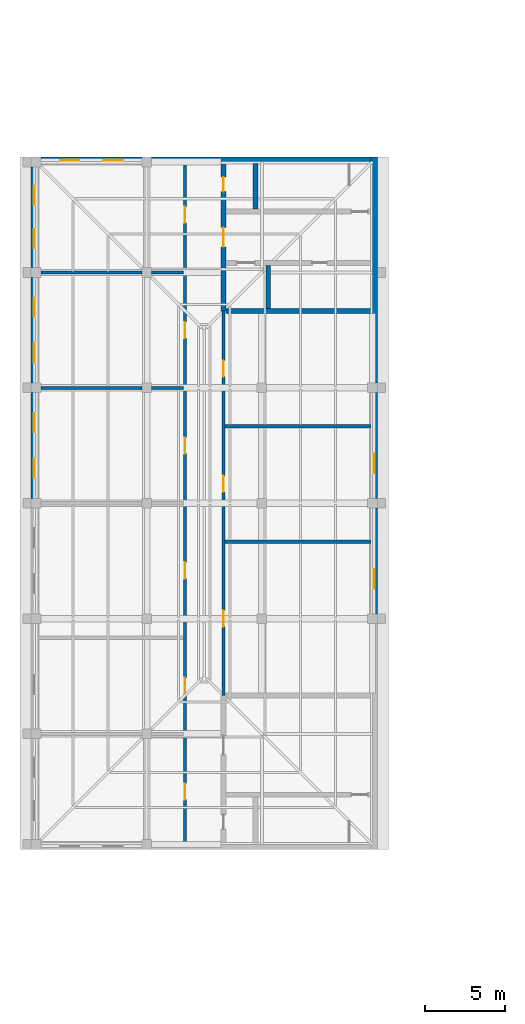
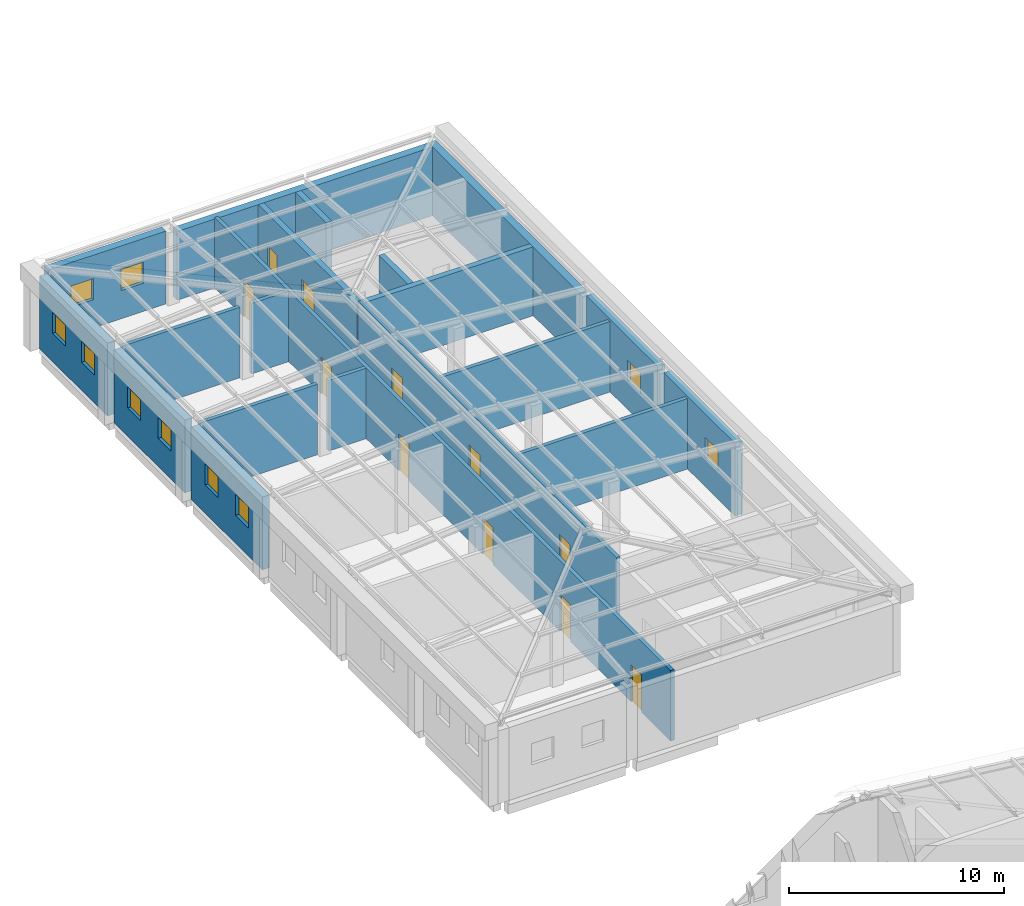
# One storey, part 33 of 48: 20 walls, 11 doors, 10 windows, 21 openings.
"""IFC4 building model written with IfcOpenShell, lengths in metres."""

import ifcopenshell
import ifcopenshell.guid

model = None  # the IFC model being written
_history = None  # IfcOwnerHistory: only IFC2X3 demands one
_inside = {}  # id of a spatial element -> (the spatial element, [elements in it])
_under = {}  # id of a project, library or spatial element -> (it, [spatial elements below it])
_declared = {}  # id of a project -> (the project, [libraries it declares])
_typed = {}  # id of a type object -> (the type object, [elements of that type])
_made_of = {}  # id of a material, layer set ... -> (it, [elements and type objects made of it])


def new_model(schema):
    """Start an empty IFC model of exactly this schema.

    Asked for "IFC4X3", IfcOpenShell would pick the latest addendum, in which some entities
    have other attributes; the version numbers below select the first issue.
    IFC2X3 requires an IfcOwnerHistory on every rooted entity: one is made here for all.
    """
    global model, _history
    if schema == "IFC4X3":
        model = ifcopenshell.file(schema_version=(4, 3, 0, 0))
    else:
        model = ifcopenshell.file(schema=schema)
    _inside.clear()
    _under.clear()
    _declared.clear()
    _typed.clear()
    _made_of.clear()
    _history = None
    if model.schema == "IFC2X3":
        org = make("IfcOrganization", Name="unknown")
        user = make(
            "IfcPersonAndOrganization",
            ThePerson=make("IfcPerson", FamilyName="unknown"),
            TheOrganization=org,
        )
        app = make(
            "IfcApplication",
            ApplicationDeveloper=org,
            Version="unknown",
            ApplicationFullName="unknown",
            ApplicationIdentifier="unknown",
        )
        _history = make(
            "IfcOwnerHistory",
            OwningUser=user,
            OwningApplication=app,
            ChangeAction="ADDED",
            CreationDate=0,
        )
    return model


def make(cls, **values):
    """One entity of the class cls with the attributes given. An attribute that is None is left unset."""
    return model.create_entity(
        cls, **{name: value for name, value in values.items() if value is not None}
    )


def rooted(cls, **values):
    """An entity with a GlobalId (a new one), such as an element, a storey or a relation."""
    return make(cls, GlobalId=ifcopenshell.guid.new(), OwnerHistory=_history, **values)


def si_unit(unit_type, name, prefix=None):
    """IfcSIUnit, for example si_unit("LENGTHUNIT", "METRE", prefix="MILLI")."""
    return make("IfcSIUnit", UnitType=unit_type, Prefix=prefix, Name=name)


def assignment(units):
    """IfcUnitAssignment: the units of a project."""
    return None if units is None else make("IfcUnitAssignment", Units=units)


def point(xyz):
    """IfcCartesianPoint."""
    return None if xyz is None else make("IfcCartesianPoint", Coordinates=xyz)


def direction(xyz):
    """IfcDirection."""
    return None if xyz is None else make("IfcDirection", DirectionRatios=xyz)


def frame(location, z_axis=None, x_axis=None):
    """IfcAxis2Placement3D, a coordinate frame: its origin and axes. An axis left out is left unset."""
    return make(
        "IfcAxis2Placement3D",
        Location=point(location),
        Axis=direction(z_axis),
        RefDirection=direction(x_axis),
    )


def frame_2d(location, x_axis=None):
    """IfcAxis2Placement2D, a coordinate frame in the plane: its origin and x axis."""
    return make(
        "IfcAxis2Placement2D", Location=point(location), RefDirection=direction(x_axis)
    )


def origin():
    """The frame at (0, 0, 0) with its axes left unset."""
    return frame((0.0, 0.0, 0.0))


def place(relative_to, where):
    """IfcLocalPlacement: puts the frame where relative to a parent placement (None: the world)."""
    return make(
        "IfcLocalPlacement", PlacementRelTo=relative_to, RelativePlacement=where
    )


def context(
    kind, dimensions, precision=None, world=None, true_north=None, identifier=None
):
    """IfcGeometricRepresentationContext, for example the 3D "Model" context."""
    return make(
        "IfcGeometricRepresentationContext",
        ContextIdentifier=identifier,
        ContextType=kind,
        CoordinateSpaceDimension=dimensions,
        Precision=precision,
        WorldCoordinateSystem=world,
        TrueNorth=true_north,
    )


def subcontext(parent, identifier, kind, view, scale=None):
    """IfcGeometricRepresentationSubContext, for example "Body" below "Model"."""
    return make(
        "IfcGeometricRepresentationSubContext",
        ContextIdentifier=identifier,
        ContextType=kind,
        ParentContext=parent,
        TargetScale=scale,
        TargetView=view,
    )


def project(units=None, contexts=None):
    """IfcProject with its units and contexts."""
    return rooted(
        "IfcProject",
        Name="project",
        RepresentationContexts=contexts,
        UnitsInContext=assignment(units),
    )


def spatial(cls, under=None, at=None, **own):
    """A site, building, storey or space (cls), placed at a placement, below another one or the project."""
    s = rooted(cls, ObjectPlacement=at, **own)
    if under is not None:
        _under.setdefault(under.id(), (under, []))[1].append(s)
    return s


def profile(cls, at=None, kind="AREA", **sizes):
    """A parametric profile (cls). Its sizes go by their IFC names, for example OverallWidth=200.0."""
    return make(cls, ProfileType=kind, Position=at, **sizes)


def rectangle(**sizes):
    """IfcRectangleProfileDef."""
    return profile("IfcRectangleProfileDef", **sizes)


def extrude(swept, where, along, depth):
    """IfcExtrudedAreaSolid: the profile swept, set in the frame where, extruded along a direction by depth."""
    return make(
        "IfcExtrudedAreaSolid",
        SweptArea=swept,
        Position=where,
        ExtrudedDirection=direction(along),
        Depth=depth,
    )


def shape(context_of_items, identifier, shape_type, items):
    """IfcShapeRepresentation: the items that make up one representation, for example the "Body"."""
    return make(
        "IfcShapeRepresentation",
        ContextOfItems=context_of_items,
        RepresentationIdentifier=identifier,
        RepresentationType=shape_type,
        Items=items,
    )


def material(Name=None, Category=None):
    """IfcMaterial."""
    return make("IfcMaterial", Name=Name, Category=Category)


def layer(
    of_material, thickness, ventilated=None, Name=None, Category=None, Priority=None
):
    """IfcMaterialLayer: one layer of a wall or slab, of a material (None: an air gap)."""
    return make(
        "IfcMaterialLayer",
        Material=of_material,
        LayerThickness=thickness,
        IsVentilated=ventilated,
        Name=Name,
        Category=Category,
        Priority=Priority,
    )


def layer_set(layers, Name=None):
    """IfcMaterialLayerSet."""
    return make("IfcMaterialLayerSet", MaterialLayers=layers, LayerSetName=Name)


def made_of(thing, what):
    """Note that an element or type object is made of a material, layer set ...; save() writes the relation."""
    if what is not None:
        _made_of.setdefault(what.id(), (what, []))[1].append(thing)
    return thing


def type_object(cls, material=None, **own):
    """A type object (cls), such as IfcWallType, which elements share."""
    return made_of(rooted(cls, **own), material)


def element(
    cls,
    number,
    at=None,
    inside=None,
    cuts=None,
    type_object=None,
    material=None,
    context=None,
    identifier="Body",
    shape_type=None,
    held_by="IfcProductDefinitionShape",
    body=None,
    shapes=None,
    **own,
):
    """One element of the class cls, such as IfcWall. Its Tag is "e" and its number.

    at: its placement. inside: the storey or other place that contains it. cuts: it is an
    opening in that element (IfcRelVoidsElement). A single representation is given by context,
    identifier, shape_type and body (its items); several are given by shapes. held_by: the class
    of the entity that holds the representations. save() writes the other relations.
    """
    e = rooted(cls, Tag="e%d" % number, ObjectPlacement=at, **own)
    if body is not None:
        shapes = [shape(context, identifier, shape_type, body)]
    if shapes is not None:
        e.Representation = make(held_by, Representations=shapes)
    if inside is not None:
        _inside.setdefault(inside.id(), (inside, []))[1].append(e)
    if cuts is not None:
        rooted(
            "IfcRelVoidsElement", RelatingBuildingElement=cuts, RelatedOpeningElement=e
        )
    if type_object is not None:
        _typed.setdefault(type_object.id(), (type_object, []))[1].append(e)
    return made_of(e, material)


def fill(opening, filler):
    """IfcRelFillsElement: the door or window that sits in an opening."""
    return rooted(
        "IfcRelFillsElement",
        RelatingOpeningElement=opening,
        RelatedBuildingElement=filler,
    )


def aggregate(whole, parts):
    """IfcRelAggregates: a whole, such as a stair, and the parts it consists of."""
    return rooted("IfcRelAggregates", RelatingObject=whole, RelatedObjects=parts)


def save(model, path):
    """Write the relations noted so far, then the file.

    IfcRelAggregates (storeys below a building ...), IfcRelContainedInSpatialStructure (elements
    in a storey), IfcRelDefinesByType, IfcRelAssociatesMaterial and IfcRelDeclares: one each for
    every whole, place, type object, material and project.
    """
    for whole, parts in _under.values():
        aggregate(whole, parts)
    for where, things in _inside.values():
        rooted(
            "IfcRelContainedInSpatialStructure",
            RelatedElements=things,
            RelatingStructure=where,
        )
    for kind, things in _typed.values():
        rooted("IfcRelDefinesByType", RelatedObjects=things, RelatingType=kind)
    for what, things in _made_of.values():
        rooted("IfcRelAssociatesMaterial", RelatedObjects=things, RelatingMaterial=what)
    for by, libraries in _declared.values():
        rooted("IfcRelDeclares", RelatingContext=by, RelatedDefinitions=libraries)
    model.write(path)


model = new_model("IFC4")

# Units and contexts
model_context = context("Model", 3, precision=1e-05, world=origin(), true_north=direction((0.0, 1.0)))
body_context = subcontext(model_context, "Body", "Model", "MODEL_VIEW")
ifc_project = project(units=[si_unit("LENGTHUNIT", "METRE"), si_unit("AREAUNIT", "SQUARE_METRE"), si_unit("VOLUMEUNIT", "CUBIC_METRE"), si_unit("PLANEANGLEUNIT", "RADIAN"), si_unit("MASSUNIT", "GRAM", prefix="KILO")], contexts=[model_context])

# Site, building, storey
site_placement = place(None, origin())
site = spatial("IfcSite", under=ifc_project, at=site_placement, CompositionType="ELEMENT")
building_placement = place(site_placement, origin())
building = spatial("IfcBuilding", under=site, at=building_placement, Name="Alderwick Market Hall", CompositionType="ELEMENT")
storey_placement = place(building_placement, frame((0.0, 0.0, 14.39990234375)))
storey = spatial("IfcBuildingStorey", under=building, at=storey_placement, Name="L02", CompositionType="ELEMENT", Elevation=14.39990234375)

# Wall, openings, windows
ifc_material_1 = material(Name="Face brick", Category="masonry")
ifc_layer_1 = layer(ifc_material_1, 0.39990234375)
ifc_layer_set_1 = layer_set([ifc_layer_1], Name="Face brick")
wall_type_1 = type_object("IfcWallType", Name="B Brick Cavity Wall 400", PredefinedType="SOLIDWALL", material=ifc_layer_set_1)
wall_1_placement = place(storey_placement, frame((22.199951171875, 129.39990234375, 0.0), z_axis=(0.0, 0.0, 1.0), x_axis=(1.0, 0.0, 0.0)))
wall_1 = element("IfcWall", 1, at=wall_1_placement, inside=storey, type_object=wall_type_1, Name="B.N.wall.L02.018", PredefinedType="SOLIDWALL", context=body_context, shape_type="SweptSolid", body=[
    extrude(rectangle(XDim=6.300048828125, YDim=0.39990234375, at=frame_2d((3.14990234375, 0.0))), origin(), (0.0, 0.0, 1.0), 4.12939453125),
])
opening_1_placement = place(wall_1_placement, frame((1.199951171875, 0.0, 1.60009765625)))
opening_1 = element("IfcOpeningElement", 2, at=opening_1_placement, cuts=wall_1, Name="Opening B-W050", PredefinedType="OPENING", context=body_context, shape_type="SweptSolid", body=[
    extrude(rectangle(XDim=1.199951171875, YDim=1.199951171875, at=frame_2d((0.60009765625, 0.60009765625))), frame((0.0, 0.2099609375, 0.0), z_axis=(0.0, -1.0, 0.0), x_axis=(1.0, 0.0, 0.0)), (0.0, 0.0, 1.0), 0.419921875),
])
opening_2_placement = place(wall_1_placement, frame((3.89990234375, 0.0, 1.60009765625)))
opening_2 = element("IfcOpeningElement", 3, at=opening_2_placement, cuts=wall_1, Name="Opening B-W051", PredefinedType="OPENING", context=body_context, shape_type="SweptSolid", body=[
    extrude(rectangle(XDim=1.199951171875, YDim=1.199951171875, at=frame_2d((0.60009765625, 0.60009765625))), frame((0.0, 0.2099609375, 0.0), z_axis=(0.0, -1.0, 0.0), x_axis=(1.0, 0.0, 0.0)), (0.0, 0.0, 1.0), 0.419921875),
])
ifc_material_2 = material(Name="Aluminium frame", Category="aluminium")
window_type = type_object("IfcWindowType", Name="B Attic Window 1200x1200", PartitioningType="SINGLE_PANEL", PredefinedType="WINDOW", material=ifc_material_2)
window_1_placement = place(opening_1_placement, origin())
window_1 = element("IfcWindow", 4, at=window_1_placement, inside=storey, type_object=window_type, Name="Window B-W050", OverallHeight=1.199951171875, OverallWidth=1.199951171875, PartitioningType="SINGLE_PANEL", PredefinedType="WINDOW", context=body_context, shape_type="SweptSolid", body=[
    extrude(rectangle(XDim=1.199951171875, YDim=1.199951171875, at=frame_2d((0.60009765625, 0.60009765625))), frame((0.0, 0.030029296875, 0.0), z_axis=(0.0, -1.0, 0.0), x_axis=(1.0, 0.0, 0.0)), (0.0, 0.0, 1.0), 0.06005859375),
])
fill(opening_1, window_1)
window_2_placement = place(opening_2_placement, origin())
window_2 = element("IfcWindow", 5, at=window_2_placement, inside=storey, type_object=window_type, Name="Window B-W051", OverallHeight=1.199951171875, OverallWidth=1.199951171875, PartitioningType="SINGLE_PANEL", PredefinedType="WINDOW", context=body_context, shape_type="SweptSolid", body=[
    extrude(rectangle(XDim=1.199951171875, YDim=1.199951171875, at=frame_2d((0.60009765625, 0.60009765625))), frame((0.0, 0.030029296875, 0.0), z_axis=(0.0, -1.0, 0.0), x_axis=(1.0, 0.0, 0.0)), (0.0, 0.0, 1.0), 0.06005859375),
])
fill(opening_2, window_2)

wall_2_placement = place(storey_placement, frame((21.800048828125, 108.300048828125, 0.0), z_axis=(0.0, 0.0, 1.0), x_axis=(0.0, 1.0, 0.0)))
wall_2 = element("IfcWall", 6, at=wall_2_placement, inside=storey, type_object=wall_type_1, Name="B.N.wall.L02.023", PredefinedType="SOLIDWALL", context=body_context, shape_type="SweptSolid", body=[
    extrude(rectangle(XDim=6.599853515625, YDim=0.39990234375, at=frame_2d((3.2998046875, 0.0))), origin(), (0.0, 0.0, 1.0), 4.12939453125),
])
opening_3_placement = place(wall_2_placement, frame((1.27490234375, 0.0, 1.60009765625)))
opening_3 = element("IfcOpeningElement", 7, at=opening_3_placement, cuts=wall_2, Name="Opening B-W057", PredefinedType="OPENING", context=body_context, shape_type="SweptSolid", body=[
    extrude(rectangle(XDim=1.199951171875, YDim=1.199951171875, at=frame_2d((0.60009765625, 0.60009765625))), frame((0.0, 0.2099609375, 0.0), z_axis=(0.0, -1.0, 0.0), x_axis=(1.0, 0.0, 0.0)), (0.0, 0.0, 1.0), 0.419921875),
])
opening_4_placement = place(wall_2_placement, frame((4.125, 0.0, 1.60009765625)))
opening_4 = element("IfcOpeningElement", 8, at=opening_4_placement, cuts=wall_2, Name="Opening B-W058", PredefinedType="OPENING", context=body_context, shape_type="SweptSolid", body=[
    extrude(rectangle(XDim=1.199951171875, YDim=1.199951171875, at=frame_2d((0.60009765625, 0.60009765625))), frame((0.0, 0.2099609375, 0.0), z_axis=(0.0, -1.0, 0.0), x_axis=(1.0, 0.0, 0.0)), (0.0, 0.0, 1.0), 0.419921875),
])
window_3_placement = place(opening_3_placement, origin())
window_3 = element("IfcWindow", 9, at=window_3_placement, inside=storey, type_object=window_type, Name="Window B-W057", OverallHeight=1.199951171875, OverallWidth=1.199951171875, PartitioningType="SINGLE_PANEL", PredefinedType="WINDOW", context=body_context, shape_type="SweptSolid", body=[
    extrude(rectangle(XDim=1.199951171875, YDim=1.199951171875, at=frame_2d((0.60009765625, 0.60009765625))), frame((0.0, 0.030029296875, 0.0), z_axis=(0.0, -1.0, 0.0), x_axis=(1.0, 0.0, 0.0)), (0.0, 0.0, 1.0), 0.06005859375),
])
fill(opening_3, window_3)
window_4_placement = place(opening_4_placement, origin())
window_4 = element("IfcWindow", 10, at=window_4_placement, inside=storey, type_object=window_type, Name="Window B-W058", OverallHeight=1.199951171875, OverallWidth=1.199951171875, PartitioningType="SINGLE_PANEL", PredefinedType="WINDOW", context=body_context, shape_type="SweptSolid", body=[
    extrude(rectangle(XDim=1.199951171875, YDim=1.199951171875, at=frame_2d((0.60009765625, 0.60009765625))), frame((0.0, 0.030029296875, 0.0), z_axis=(0.0, -1.0, 0.0), x_axis=(1.0, 0.0, 0.0)), (0.0, 0.0, 1.0), 0.06005859375),
])
fill(opening_4, window_4)

wall_3_placement = place(storey_placement, frame((21.800048828125, 115.5, 0.0), z_axis=(0.0, 0.0, 1.0), x_axis=(0.0, 1.0, 0.0)))
wall_3 = element("IfcWall", 11, at=wall_3_placement, inside=storey, type_object=wall_type_1, Name="B.N.wall.L02.024", PredefinedType="SOLIDWALL", context=body_context, shape_type="SweptSolid", body=[
    extrude(rectangle(XDim=6.60009765625, YDim=0.39990234375, at=frame_2d((3.300048828125, 0.0))), origin(), (0.0, 0.0, 1.0), 4.12939453125),
])
opening_5_placement = place(wall_3_placement, frame((1.27490234375, 0.0, 1.60009765625)))
opening_5 = element("IfcOpeningElement", 12, at=opening_5_placement, cuts=wall_3, Name="Opening B-W059", PredefinedType="OPENING", context=body_context, shape_type="SweptSolid", body=[
    extrude(rectangle(XDim=1.199951171875, YDim=1.199951171875, at=frame_2d((0.60009765625, 0.60009765625))), frame((0.0, 0.2099609375, 0.0), z_axis=(0.0, -1.0, 0.0), x_axis=(1.0, 0.0, 0.0)), (0.0, 0.0, 1.0), 0.419921875),
])
opening_6_placement = place(wall_3_placement, frame((4.125, 0.0, 1.60009765625)))
opening_6 = element("IfcOpeningElement", 13, at=opening_6_placement, cuts=wall_3, Name="Opening B-W060", PredefinedType="OPENING", context=body_context, shape_type="SweptSolid", body=[
    extrude(rectangle(XDim=1.199951171875, YDim=1.199951171875, at=frame_2d((0.60009765625, 0.60009765625))), frame((0.0, 0.2099609375, 0.0), z_axis=(0.0, -1.0, 0.0), x_axis=(1.0, 0.0, 0.0)), (0.0, 0.0, 1.0), 0.419921875),
])
window_5_placement = place(opening_5_placement, origin())
window_5 = element("IfcWindow", 14, at=window_5_placement, inside=storey, type_object=window_type, Name="Window B-W059", OverallHeight=1.199951171875, OverallWidth=1.199951171875, PartitioningType="SINGLE_PANEL", PredefinedType="WINDOW", context=body_context, shape_type="SweptSolid", body=[
    extrude(rectangle(XDim=1.199951171875, YDim=1.199951171875, at=frame_2d((0.60009765625, 0.60009765625))), frame((0.0, 0.030029296875, 0.0), z_axis=(0.0, -1.0, 0.0), x_axis=(1.0, 0.0, 0.0)), (0.0, 0.0, 1.0), 0.06005859375),
])
fill(opening_5, window_5)
window_6_placement = place(opening_6_placement, origin())
window_6 = element("IfcWindow", 15, at=window_6_placement, inside=storey, type_object=window_type, Name="Window B-W060", OverallHeight=1.199951171875, OverallWidth=1.199951171875, PartitioningType="SINGLE_PANEL", PredefinedType="WINDOW", context=body_context, shape_type="SweptSolid", body=[
    extrude(rectangle(XDim=1.199951171875, YDim=1.199951171875, at=frame_2d((0.60009765625, 0.60009765625))), frame((0.0, 0.030029296875, 0.0), z_axis=(0.0, -1.0, 0.0), x_axis=(1.0, 0.0, 0.0)), (0.0, 0.0, 1.0), 0.06005859375),
])
fill(opening_6, window_6)

wall_4_placement = place(storey_placement, frame((21.800048828125, 122.699951171875, 0.0), z_axis=(0.0, 0.0, 1.0), x_axis=(0.0, 1.0, 0.0)))
wall_4 = element("IfcWall", 16, at=wall_4_placement, inside=storey, type_object=wall_type_1, Name="B.N.wall.L02.025", PredefinedType="SOLIDWALL", context=body_context, shape_type="SweptSolid", body=[
    extrude(rectangle(XDim=6.300048828125, YDim=0.39990234375, at=frame_2d((3.14990234375, 0.0))), origin(), (0.0, 0.0, 1.0), 4.12939453125),
])
opening_7_placement = place(wall_4_placement, frame((1.199951171875, 0.0, 1.60009765625)))
opening_7 = element("IfcOpeningElement", 17, at=opening_7_placement, cuts=wall_4, Name="Opening B-W061", PredefinedType="OPENING", context=body_context, shape_type="SweptSolid", body=[
    extrude(rectangle(XDim=1.199951171875, YDim=1.199951171875, at=frame_2d((0.60009765625, 0.60009765625))), frame((0.0, 0.2099609375, 0.0), z_axis=(0.0, -1.0, 0.0), x_axis=(1.0, 0.0, 0.0)), (0.0, 0.0, 1.0), 0.419921875),
])
opening_8_placement = place(wall_4_placement, frame((3.89990234375, 0.0, 1.60009765625)))
opening_8 = element("IfcOpeningElement", 18, at=opening_8_placement, cuts=wall_4, Name="Opening B-W062", PredefinedType="OPENING", context=body_context, shape_type="SweptSolid", body=[
    extrude(rectangle(XDim=1.199951171875, YDim=1.199951171875, at=frame_2d((0.60009765625, 0.60009765625))), frame((0.0, 0.2099609375, 0.0), z_axis=(0.0, -1.0, 0.0), x_axis=(1.0, 0.0, 0.0)), (0.0, 0.0, 1.0), 0.419921875),
])
window_7_placement = place(opening_7_placement, origin())
window_7 = element("IfcWindow", 19, at=window_7_placement, inside=storey, type_object=window_type, Name="Window B-W061", OverallHeight=1.199951171875, OverallWidth=1.199951171875, PartitioningType="SINGLE_PANEL", PredefinedType="WINDOW", context=body_context, shape_type="SweptSolid", body=[
    extrude(rectangle(XDim=1.199951171875, YDim=1.199951171875, at=frame_2d((0.60009765625, 0.60009765625))), frame((0.0, 0.030029296875, 0.0), z_axis=(0.0, -1.0, 0.0), x_axis=(1.0, 0.0, 0.0)), (0.0, 0.0, 1.0), 0.06005859375),
])
fill(opening_7, window_7)
window_8_placement = place(opening_8_placement, origin())
window_8 = element("IfcWindow", 20, at=window_8_placement, inside=storey, type_object=window_type, Name="Window B-W062", OverallHeight=1.199951171875, OverallWidth=1.199951171875, PartitioningType="SINGLE_PANEL", PredefinedType="WINDOW", context=body_context, shape_type="SweptSolid", body=[
    extrude(rectangle(XDim=1.199951171875, YDim=1.199951171875, at=frame_2d((0.60009765625, 0.60009765625))), frame((0.0, 0.030029296875, 0.0), z_axis=(0.0, -1.0, 0.0), x_axis=(1.0, 0.0, 0.0)), (0.0, 0.0, 1.0), 0.06005859375),
])
fill(opening_8, window_8)

# Wall, opening, window
wall_5_placement = place(storey_placement, frame((43.0, 101.10009765625, 0.0), z_axis=(0.0, 0.0, 1.0), x_axis=(0.0, 1.0, 0.0)))
wall_5 = element("IfcWall", 21, at=wall_5_placement, inside=storey, type_object=wall_type_1, Name="B.N.wall.L02.034", PredefinedType="SOLIDWALL", context=body_context, shape_type="SweptSolid", body=[
    extrude(rectangle(XDim=6.599853515625, YDim=0.39990234375, at=frame_2d((3.2998046875, 0.0))), origin(), (0.0, 0.0, 1.0), 4.12939453125),
])
opening_9_placement = place(wall_5_placement, frame((1.574951171875, 0.0, 1.60009765625)))
opening_9 = element("IfcOpeningElement", 22, at=opening_9_placement, cuts=wall_5, Name="Opening B-W063", PredefinedType="OPENING", context=body_context, shape_type="SweptSolid", body=[
    extrude(rectangle(XDim=1.199951171875, YDim=1.199951171875, at=frame_2d((0.60009765625, 0.60009765625))), frame((0.0, 0.2099609375, 0.0), z_axis=(0.0, -1.0, 0.0), x_axis=(1.0, 0.0, 0.0)), (0.0, 0.0, 1.0), 0.419921875),
])
window_9_placement = place(opening_9_placement, origin())
window_9 = element("IfcWindow", 23, at=window_9_placement, inside=storey, type_object=window_type, Name="Window B-W063", OverallHeight=1.199951171875, OverallWidth=1.199951171875, PartitioningType="SINGLE_PANEL", PredefinedType="WINDOW", context=body_context, shape_type="SweptSolid", body=[
    extrude(rectangle(XDim=1.199951171875, YDim=1.199951171875, at=frame_2d((0.60009765625, 0.60009765625))), frame((0.0, 0.030029296875, 0.0), z_axis=(0.0, -1.0, 0.0), x_axis=(1.0, 0.0, 0.0)), (0.0, 0.0, 1.0), 0.06005859375),
])
fill(opening_9, window_9)

wall_6_placement = place(storey_placement, frame((43.0, 108.300048828125, 0.0), z_axis=(0.0, 0.0, 1.0), x_axis=(0.0, 1.0, 0.0)))
wall_6 = element("IfcWall", 24, at=wall_6_placement, inside=storey, type_object=wall_type_1, Name="B.N.wall.L02.035", PredefinedType="SOLIDWALL", context=body_context, shape_type="SweptSolid", body=[
    extrude(rectangle(XDim=6.599853515625, YDim=0.39990234375, at=frame_2d((3.2998046875, 0.0))), origin(), (0.0, 0.0, 1.0), 4.12939453125),
])
opening_10_placement = place(wall_6_placement, frame((1.574951171875, 0.0, 1.60009765625)))
opening_10 = element("IfcOpeningElement", 25, at=opening_10_placement, cuts=wall_6, Name="Opening B-W064", PredefinedType="OPENING", context=body_context, shape_type="SweptSolid", body=[
    extrude(rectangle(XDim=1.199951171875, YDim=1.199951171875, at=frame_2d((0.60009765625, 0.60009765625))), frame((0.0, 0.2099609375, 0.0), z_axis=(0.0, -1.0, 0.0), x_axis=(1.0, 0.0, 0.0)), (0.0, 0.0, 1.0), 0.419921875),
])
window_10_placement = place(opening_10_placement, origin())
window_10 = element("IfcWindow", 26, at=window_10_placement, inside=storey, type_object=window_type, Name="Window B-W064", OverallHeight=1.199951171875, OverallWidth=1.199951171875, PartitioningType="SINGLE_PANEL", PredefinedType="WINDOW", context=body_context, shape_type="SweptSolid", body=[
    extrude(rectangle(XDim=1.199951171875, YDim=1.199951171875, at=frame_2d((0.60009765625, 0.60009765625))), frame((0.0, 0.030029296875, 0.0), z_axis=(0.0, -1.0, 0.0), x_axis=(1.0, 0.0, 0.0)), (0.0, 0.0, 1.0), 0.06005859375),
])
fill(opening_10, window_10)

# Walls
ifc_material_3 = material(Name="Concrete masonry 3000 psi", Category="masonry")
ifc_layer_2 = layer(ifc_material_3, 0.199951171875)
ifc_layer_set_2 = layer_set([ifc_layer_2], Name="Concrete masonry 3000 psi")
wall_type_2 = type_object("IfcWallType", Name="B Masonry Partition 200", PredefinedType="PARTITIONING", material=ifc_layer_set_2)
for number, where, z_axis, x_axis, name in (
    (27, (33.699951171875, 105.60009765625, 0.0), (0.0, 0.0, 1.0), (1.0, 0.0, 0.0), "B.N.wall.L02.007"),
    (28, (33.699951171875, 112.800048828125, 0.0), (0.0, 0.0, 1.0), (1.0, 0.0, 0.0), "B.N.wall.L02.010"),
):
    element("IfcWall", number, at=place(storey_placement, frame(where, z_axis=z_axis, x_axis=x_axis)), inside=storey, type_object=wall_type_2, Name=name, PredefinedType="PARTITIONING", context=body_context, shape_type="SweptSolid", body=[
        extrude(rectangle(XDim=9.10009765625, YDim=0.199951171875, at=frame_2d((4.550048828125, 0.0))), origin(), (0.0, 0.0, 1.0), 4.0),
    ])
wall_7_placement = place(storey_placement, frame((22.199951171875, 115.199951171875, 0.0), z_axis=(0.0, 0.0, 1.0), x_axis=(1.0, 0.0, 0.0)))
element("IfcWall", 29, at=wall_7_placement, inside=storey, type_object=wall_type_2, Name="B.N.wall.L02.011", PredefinedType="PARTITIONING", context=body_context, shape_type="SweptSolid", body=[
    extrude(rectangle(XDim=6.300048828125, YDim=0.199951171875, at=frame_2d((3.14990234375, 0.0))), origin(), (0.0, 0.0, 1.0), 4.0),
])
wall_8_placement = place(storey_placement, frame((29.10009765625, 115.199951171875, 0.0), z_axis=(0.0, 0.0, 1.0), x_axis=(1.0, 0.0, 0.0)))
element("IfcWall", 30, at=wall_8_placement, inside=storey, type_object=wall_type_2, Name="B.N.wall.L02.012", PredefinedType="PARTITIONING", context=body_context, shape_type="SweptSolid", body=[
    extrude(rectangle(XDim=2.0, YDim=0.199951171875, at=frame_2d((1.0, 0.0))), origin(), (0.0, 0.0, 1.0), 4.0),
])
wall_9_placement = place(storey_placement, frame((22.199951171875, 122.39990234375, 0.0), z_axis=(0.0, 0.0, 1.0), x_axis=(1.0, 0.0, 0.0)))
element("IfcWall", 31, at=wall_9_placement, inside=storey, type_object=wall_type_2, Name="B.N.wall.L02.014", PredefinedType="PARTITIONING", context=body_context, shape_type="SweptSolid", body=[
    extrude(rectangle(XDim=6.300048828125, YDim=0.199951171875, at=frame_2d((3.14990234375, 0.0))), origin(), (0.0, 0.0, 1.0), 4.0),
])
wall_10_placement = place(storey_placement, frame((29.10009765625, 122.39990234375, 0.0), z_axis=(0.0, 0.0, 1.0), x_axis=(1.0, 0.0, 0.0)))
element("IfcWall", 32, at=wall_10_placement, inside=storey, type_object=wall_type_2, Name="B.N.wall.L02.015", PredefinedType="PARTITIONING", context=body_context, shape_type="SweptSolid", body=[
    extrude(rectangle(XDim=2.0, YDim=0.199951171875, at=frame_2d((1.0, 0.0))), origin(), (0.0, 0.0, 1.0), 4.0),
])

# Wall, openings, doors
wall_11_placement = place(storey_placement, frame((31.199951171875, 86.800048828125, 0.0), z_axis=(0.0, 0.0, 1.0), x_axis=(0.0, 1.0, 0.0)))
wall_11 = element("IfcWall", 33, at=wall_11_placement, inside=storey, type_object=wall_type_2, Name="B.N.wall.L02.026", PredefinedType="PARTITIONING", context=body_context, shape_type="SweptSolid", body=[
    extrude(rectangle(XDim=42.39990234375, YDim=0.199951171875, at=frame_2d((21.199951171875, 0.0))), origin(), (0.0, 0.0, 1.0), 4.0),
])
opening_11_placement = place(wall_11_placement, frame((38.699951171875, 0.0, 0.0)))
opening_11 = element("IfcOpeningElement", 34, at=opening_11_placement, cuts=wall_11, Name="Opening B-D065", PredefinedType="OPENING", context=body_context, shape_type="SweptSolid", body=[
    extrude(rectangle(XDim=1.0, YDim=2.10009765625, at=frame_2d((0.5, 1.050048828125))), frame((0.0, 0.10986328125, 0.0), z_axis=(0.0, -1.0, 0.0), x_axis=(1.0, 0.0, 0.0)), (0.0, 0.0, 1.0), 0.219970703125),
])
opening_12_placement = place(wall_11_placement, frame((31.5, 0.0, 0.0)))
opening_12 = element("IfcOpeningElement", 35, at=opening_12_placement, cuts=wall_11, Name="Opening B-D066", PredefinedType="OPENING", context=body_context, shape_type="SweptSolid", body=[
    extrude(rectangle(XDim=1.0, YDim=2.10009765625, at=frame_2d((0.5, 1.050048828125))), frame((0.0, 0.10986328125, 0.0), z_axis=(0.0, -1.0, 0.0), x_axis=(1.0, 0.0, 0.0)), (0.0, 0.0, 1.0), 0.219970703125),
])
opening_13_placement = place(wall_11_placement, frame((24.300048828125, 0.0, 0.0)))
opening_13 = element("IfcOpeningElement", 36, at=opening_13_placement, cuts=wall_11, Name="Opening B-D067", PredefinedType="OPENING", context=body_context, shape_type="SweptSolid", body=[
    extrude(rectangle(XDim=1.0, YDim=2.10009765625, at=frame_2d((0.5, 1.050048828125))), frame((0.0, 0.10986328125, 0.0), z_axis=(0.0, -1.0, 0.0), x_axis=(1.0, 0.0, 0.0)), (0.0, 0.0, 1.0), 0.219970703125),
])
opening_14_placement = place(wall_11_placement, frame((16.5, 0.0, 0.0)))
opening_14 = element("IfcOpeningElement", 37, at=opening_14_placement, cuts=wall_11, Name="Opening B-D068", PredefinedType="OPENING", context=body_context, shape_type="SweptSolid", body=[
    extrude(rectangle(XDim=1.0, YDim=2.10009765625, at=frame_2d((0.5, 1.050048828125))), frame((0.0, 0.10986328125, 0.0), z_axis=(0.0, -1.0, 0.0), x_axis=(1.0, 0.0, 0.0)), (0.0, 0.0, 1.0), 0.219970703125),
])
opening_15_placement = place(wall_11_placement, frame((9.300048828125, 0.0, 0.0)))
opening_15 = element("IfcOpeningElement", 38, at=opening_15_placement, cuts=wall_11, Name="Opening B-D069", PredefinedType="OPENING", context=body_context, shape_type="SweptSolid", body=[
    extrude(rectangle(XDim=1.0, YDim=2.10009765625, at=frame_2d((0.5, 1.050048828125))), frame((0.0, 0.10986328125, 0.0), z_axis=(0.0, -1.0, 0.0), x_axis=(1.0, 0.0, 0.0)), (0.0, 0.0, 1.0), 0.219970703125),
])
opening_16_placement = place(wall_11_placement, frame((2.699951171875, 0.0, 0.0)))
opening_16 = element("IfcOpeningElement", 39, at=opening_16_placement, cuts=wall_11, Name="Opening B-D070", PredefinedType="OPENING", context=body_context, shape_type="SweptSolid", body=[
    extrude(rectangle(XDim=1.0, YDim=2.10009765625, at=frame_2d((0.5, 1.050048828125))), frame((0.0, 0.10986328125, 0.0), z_axis=(0.0, -1.0, 0.0), x_axis=(1.0, 0.0, 0.0)), (0.0, 0.0, 1.0), 0.219970703125),
])
ifc_material_4 = material(Name="Hollow metal door and frame")
door_type_1 = type_object("IfcDoorType", Name="B Door 1000x2100", OperationType="SINGLE_SWING_LEFT", PredefinedType="DOOR", material=ifc_material_4)
door_1_placement = place(opening_11_placement, origin())
door_1 = element("IfcDoor", 40, at=door_1_placement, inside=storey, type_object=door_type_1, Name="Market Office door", OperationType="SINGLE_SWING_LEFT", OverallHeight=2.10009765625, OverallWidth=1.0, PredefinedType="DOOR", context=body_context, shape_type="SweptSolid", body=[
    extrude(rectangle(XDim=1.0, YDim=2.10009765625, at=frame_2d((0.5, 1.050048828125))), frame((0.0, 0.02490234375, 0.0), z_axis=(0.0, -1.0, 0.0), x_axis=(1.0, 0.0, 0.0)), (0.0, 0.0, 1.0), 0.050048828125),
])
fill(opening_11, door_1)
door_2_placement = place(opening_12_placement, origin())
door_2 = element("IfcDoor", 41, at=door_2_placement, inside=storey, type_object=door_type_1, Name="Market Office door", OperationType="SINGLE_SWING_RIGHT", OverallHeight=2.10009765625, OverallWidth=1.0, PredefinedType="DOOR", context=body_context, shape_type="SweptSolid", body=[
    extrude(rectangle(XDim=1.0, YDim=2.10009765625, at=frame_2d((0.5, 1.050048828125))), frame((0.0, 0.02490234375, 0.0), z_axis=(0.0, -1.0, 0.0), x_axis=(1.0, 0.0, 0.0)), (0.0, 0.0, 1.0), 0.050048828125),
])
fill(opening_12, door_2)
door_3_placement = place(opening_13_placement, origin())
door_3 = element("IfcDoor", 42, at=door_3_placement, inside=storey, type_object=door_type_1, Name="Market Office door", OperationType="SINGLE_SWING_LEFT", OverallHeight=2.10009765625, OverallWidth=1.0, PredefinedType="DOOR", context=body_context, shape_type="SweptSolid", body=[
    extrude(rectangle(XDim=1.0, YDim=2.10009765625, at=frame_2d((0.5, 1.050048828125))), frame((0.0, 0.02490234375, 0.0), z_axis=(0.0, -1.0, 0.0), x_axis=(1.0, 0.0, 0.0)), (0.0, 0.0, 1.0), 0.050048828125),
])
fill(opening_13, door_3)
door_4_placement = place(opening_14_placement, origin())
door_4 = element("IfcDoor", 43, at=door_4_placement, inside=storey, type_object=door_type_1, Name="Meeting Room door", OperationType="SINGLE_SWING_RIGHT", OverallHeight=2.10009765625, OverallWidth=1.0, PredefinedType="DOOR", context=body_context, shape_type="SweptSolid", body=[
    extrude(rectangle(XDim=1.0, YDim=2.10009765625, at=frame_2d((0.5, 1.050048828125))), frame((0.0, 0.02490234375, 0.0), z_axis=(0.0, -1.0, 0.0), x_axis=(1.0, 0.0, 0.0)), (0.0, 0.0, 1.0), 0.050048828125),
])
fill(opening_14, door_4)
door_5_placement = place(opening_15_placement, origin())
door_5 = element("IfcDoor", 44, at=door_5_placement, inside=storey, type_object=door_type_1, Name="Security Control Room door", OperationType="SINGLE_SWING_LEFT", OverallHeight=2.10009765625, OverallWidth=1.0, PredefinedType="DOOR", context=body_context, shape_type="SweptSolid", body=[
    extrude(rectangle(XDim=1.0, YDim=2.10009765625, at=frame_2d((0.5, 1.050048828125))), frame((0.0, 0.02490234375, 0.0), z_axis=(0.0, -1.0, 0.0), x_axis=(1.0, 0.0, 0.0)), (0.0, 0.0, 1.0), 0.050048828125),
])
fill(opening_15, door_5)
door_6_placement = place(opening_16_placement, origin())
door_6 = element("IfcDoor", 45, at=door_6_placement, inside=storey, type_object=door_type_1, Name="Staff WC door", OperationType="SINGLE_SWING_RIGHT", OverallHeight=2.10009765625, OverallWidth=1.0, PredefinedType="DOOR", context=body_context, shape_type="SweptSolid", body=[
    extrude(rectangle(XDim=1.0, YDim=2.10009765625, at=frame_2d((0.5, 1.050048828125))), frame((0.0, 0.02490234375, 0.0), z_axis=(0.0, -1.0, 0.0), x_axis=(1.0, 0.0, 0.0)), (0.0, 0.0, 1.0), 0.050048828125),
])
fill(opening_16, door_6)

wall_12_placement = place(storey_placement, frame((33.60009765625, 96.0, 0.0), z_axis=(0.0, 0.0, 1.0), x_axis=(0.0, 1.0, 0.0)))
wall_12 = element("IfcWall", 46, at=wall_12_placement, inside=storey, type_object=wall_type_2, Name="B.N.wall.L02.028", PredefinedType="PARTITIONING", context=body_context, shape_type="SweptSolid", body=[
    extrude(rectangle(XDim=24.0, YDim=0.199951171875, at=frame_2d((12.0, 0.0))), origin(), (0.0, 0.0, 1.0), 4.0),
])
opening_17_placement = place(wall_12_placement, frame((19.89990234375, 0.0, 0.0)))
opening_17 = element("IfcOpeningElement", 47, at=opening_17_placement, cuts=wall_12, Name="Opening B-D071", PredefinedType="OPENING", context=body_context, shape_type="SweptSolid", body=[
    extrude(rectangle(XDim=1.0, YDim=2.10009765625, at=frame_2d((0.5, 1.050048828125))), frame((0.0, 0.10986328125, 0.0), z_axis=(0.0, -1.0, 0.0), x_axis=(1.0, 0.0, 0.0)), (0.0, 0.0, 1.0), 0.219970703125),
])
opening_18_placement = place(wall_12_placement, frame((12.699951171875, 0.0, 0.0)))
opening_18 = element("IfcOpeningElement", 48, at=opening_18_placement, cuts=wall_12, Name="Opening B-D072", PredefinedType="OPENING", context=body_context, shape_type="SweptSolid", body=[
    extrude(rectangle(XDim=1.0, YDim=2.10009765625, at=frame_2d((0.5, 1.050048828125))), frame((0.0, 0.10986328125, 0.0), z_axis=(0.0, -1.0, 0.0), x_axis=(1.0, 0.0, 0.0)), (0.0, 0.0, 1.0), 0.219970703125),
])
opening_19_placement = place(wall_12_placement, frame((4.300048828125, 0.0, 0.0)))
opening_19 = element("IfcOpeningElement", 49, at=opening_19_placement, cuts=wall_12, Name="Opening B-D073", PredefinedType="OPENING", context=body_context, shape_type="SweptSolid", body=[
    extrude(rectangle(XDim=1.0, YDim=2.10009765625, at=frame_2d((0.5, 1.050048828125))), frame((0.0, 0.10986328125, 0.0), z_axis=(0.0, -1.0, 0.0), x_axis=(1.0, 0.0, 0.0)), (0.0, 0.0, 1.0), 0.219970703125),
])
door_7_placement = place(opening_17_placement, origin())
door_7 = element("IfcDoor", 50, at=door_7_placement, inside=storey, type_object=door_type_1, Name="Market Office door", OperationType="SINGLE_SWING_LEFT", OverallHeight=2.10009765625, OverallWidth=1.0, PredefinedType="DOOR", context=body_context, shape_type="SweptSolid", body=[
    extrude(rectangle(XDim=1.0, YDim=2.10009765625, at=frame_2d((0.5, 1.050048828125))), frame((0.0, 0.02490234375, 0.0), z_axis=(0.0, -1.0, 0.0), x_axis=(1.0, 0.0, 0.0)), (0.0, 0.0, 1.0), 0.050048828125),
])
fill(opening_17, door_7)
door_8_placement = place(opening_18_placement, origin())
door_8 = element("IfcDoor", 51, at=door_8_placement, inside=storey, type_object=door_type_1, Name="Inspection Office door", OperationType="SINGLE_SWING_RIGHT", OverallHeight=2.10009765625, OverallWidth=1.0, PredefinedType="DOOR", context=body_context, shape_type="SweptSolid", body=[
    extrude(rectangle(XDim=1.0, YDim=2.10009765625, at=frame_2d((0.5, 1.050048828125))), frame((0.0, 0.02490234375, 0.0), z_axis=(0.0, -1.0, 0.0), x_axis=(1.0, 0.0, 0.0)), (0.0, 0.0, 1.0), 0.050048828125),
])
fill(opening_18, door_8)
door_9_placement = place(opening_19_placement, origin())
door_9 = element("IfcDoor", 52, at=door_9_placement, inside=storey, type_object=door_type_1, Name="Archive door", OperationType="SINGLE_SWING_LEFT", OverallHeight=2.10009765625, OverallWidth=1.0, PredefinedType="DOOR", context=body_context, shape_type="SweptSolid", body=[
    extrude(rectangle(XDim=1.0, YDim=2.10009765625, at=frame_2d((0.5, 1.050048828125))), frame((0.0, 0.02490234375, 0.0), z_axis=(0.0, -1.0, 0.0), x_axis=(1.0, 0.0, 0.0)), (0.0, 0.0, 1.0), 0.050048828125),
])
fill(opening_19, door_9)

# Walls
ifc_material_5 = material(Name="Concrete 5000 psi (f'c 35 MPa)", Category="concrete")
ifc_layer_3 = layer(ifc_material_5, 0.39990234375)
ifc_layer_set_3 = layer_set([ifc_layer_3], Name="Concrete 5000 psi (f'c 35 MPa)")
wall_type_3 = type_object("IfcWallType", Name="B RC Core Facade Wall 400", PredefinedType="SHEAR", material=ifc_layer_set_3)
wall_13_placement = place(storey_placement, frame((29.10009765625, 129.39990234375, 0.0), z_axis=(0.0, 0.0, 1.0), x_axis=(1.0, 0.0, 0.0)))
element("IfcWall", 53, at=wall_13_placement, inside=storey, type_object=wall_type_3, Name="B.N.wall.L02.019", PredefinedType="SHEAR", context=body_context, shape_type="SweptSolid", body=[
    extrude(rectangle(XDim=13.699951171875, YDim=0.39990234375, at=frame_2d((6.85009765625, 0.0))), origin(), (0.0, 0.0, 1.0), 3.900146484375),
])
wall_14_placement = place(storey_placement, frame((43.0, 115.5, 0.0), z_axis=(0.0, 0.0, 1.0), x_axis=(0.0, 1.0, 0.0)))
element("IfcWall", 54, at=wall_14_placement, inside=storey, type_object=wall_type_3, Name="B.N.wall.L02.036", PredefinedType="SHEAR", context=body_context, shape_type="SweptSolid", body=[
    extrude(rectangle(XDim=14.10009765625, YDim=0.39990234375, at=frame_2d((7.050048828125, 0.0))), origin(), (0.0, 0.0, 1.0), 3.900146484375),
])
ifc_layer_4 = layer(ifc_material_5, 0.300048828125)
ifc_layer_set_4 = layer_set([ifc_layer_4], Name="Concrete 5000 psi (f'c 35 MPa)")
wall_type_4 = type_object("IfcWallType", Name="B RC Core Wall 300", PredefinedType="SHEAR", material=ifc_layer_set_4)
wall_15_placement = place(storey_placement, frame((33.75, 120.0, 0.0), z_axis=(0.0, 0.0, 1.0), x_axis=(1.0, 0.0, 0.0)))
element("IfcWall", 55, at=wall_15_placement, inside=storey, type_object=wall_type_4, Name="B.N.wall.L02.013", PredefinedType="SHEAR", context=body_context, shape_type="SweptSolid", body=[
    extrude(rectangle(XDim=9.050048828125, YDim=0.300048828125, at=frame_2d((4.52490234375, 0.0))), origin(), (0.0, 0.0, 1.0), 3.900146484375),
])

# Wall, openings, doors
wall_16_placement = place(storey_placement, frame((33.60009765625, 120.0, 0.0), z_axis=(0.0, 0.0, 1.0), x_axis=(0.0, 1.0, 0.0)))
wall_16 = element("IfcWall", 56, at=wall_16_placement, inside=storey, type_object=wall_type_4, Name="B.N.wall.L02.029", PredefinedType="SHEAR", context=body_context, shape_type="SweptSolid", body=[
    extrude(rectangle(XDim=9.199951171875, YDim=0.300048828125, at=frame_2d((4.60009765625, 0.0))), origin(), (0.0, 0.0, 1.0), 3.900146484375),
])
opening_20_placement = place(wall_16_placement, frame((4.0, 0.0, 0.0)))
opening_20 = element("IfcOpeningElement", 57, at=opening_20_placement, cuts=wall_16, Name="Opening B-D075", PredefinedType="OPENING", context=body_context, shape_type="SweptSolid", body=[
    extrude(rectangle(XDim=1.199951171875, YDim=2.10009765625, at=frame_2d((0.60009765625, 1.050048828125))), frame((0.0, 0.159912109375, 0.0), z_axis=(0.0, -1.0, 0.0), x_axis=(1.0, 0.0, 0.0)), (0.0, 0.0, 1.0), 0.320068359375),
])
opening_21_placement = place(wall_16_placement, frame((7.449951171875, 0.0, 0.0)))
opening_21 = element("IfcOpeningElement", 58, at=opening_21_placement, cuts=wall_16, Name="Opening B-D076", PredefinedType="OPENING", context=body_context, shape_type="SweptSolid", body=[
    extrude(rectangle(XDim=0.89990234375, YDim=2.10009765625, at=frame_2d((0.449951171875, 1.050048828125))), frame((0.0, 0.159912109375, 0.0), z_axis=(0.0, -1.0, 0.0), x_axis=(1.0, 0.0, 0.0)), (0.0, 0.0, 1.0), 0.320068359375),
])
ifc_material_6 = material(Name="Hollow metal fire door and frame")
door_type_2 = type_object("IfcDoorType", Name="B Fire Door 1200x2100", OperationType="SINGLE_SWING_LEFT", PredefinedType="DOOR", material=ifc_material_6)
door_10_placement = place(opening_20_placement, origin())
door_10 = element("IfcDoor", 59, at=door_10_placement, inside=storey, type_object=door_type_2, Name="Lobby N-1 corridor door", OperationType="SINGLE_SWING_LEFT", OverallHeight=2.10009765625, OverallWidth=1.199951171875, PredefinedType="DOOR", context=body_context, shape_type="SweptSolid", body=[
    extrude(rectangle(XDim=1.199951171875, YDim=2.10009765625, at=frame_2d((0.60009765625, 1.050048828125))), frame((0.0, 0.02490234375, 0.0), z_axis=(0.0, -1.0, 0.0), x_axis=(1.0, 0.0, 0.0)), (0.0, 0.0, 1.0), 0.050048828125),
])
fill(opening_20, door_10)
door_type_3 = type_object("IfcDoorType", Name="B Fire Door 900x2100", OperationType="SINGLE_SWING_LEFT", PredefinedType="DOOR", material=ifc_material_6)
door_11_placement = place(opening_21_placement, origin())
door_11 = element("IfcDoor", 60, at=door_11_placement, inside=storey, type_object=door_type_3, Name="Riser N-1 access door", OperationType="SINGLE_SWING_RIGHT", OverallHeight=2.10009765625, OverallWidth=0.89990234375, PredefinedType="DOOR", context=body_context, shape_type="SweptSolid", body=[
    extrude(rectangle(XDim=0.89990234375, YDim=2.10009765625, at=frame_2d((0.449951171875, 1.050048828125))), frame((0.0, 0.02490234375, 0.0), z_axis=(0.0, -1.0, 0.0), x_axis=(1.0, 0.0, 0.0)), (0.0, 0.0, 1.0), 0.050048828125),
])
fill(opening_21, door_11)

# Walls
wall_17_placement = place(storey_placement, frame((35.60009765625, 126.35009765625, 0.0), z_axis=(0.0, 0.0, 1.0), x_axis=(0.0, 1.0, 0.0)))
element("IfcWall", 61, at=wall_17_placement, inside=storey, type_object=wall_type_4, Name="B.N.wall.L02.031", PredefinedType="SHEAR", context=body_context, shape_type="SweptSolid", body=[
    extrude(rectangle(XDim=2.849853515625, YDim=0.300048828125, at=frame_2d((1.4248046875, 0.0))), origin(), (0.0, 0.0, 1.0), 3.900146484375),
])
wall_18_placement = place(storey_placement, frame((36.39990234375, 120.14990234375, 0.0), z_axis=(0.0, 0.0, 1.0), x_axis=(0.0, 1.0, 0.0)))
element("IfcWall", 62, at=wall_18_placement, inside=storey, type_object=wall_type_4, Name="B.N.wall.L02.032", PredefinedType="SHEAR", context=body_context, shape_type="SweptSolid", body=[
    extrude(rectangle(XDim=2.7001953125, YDim=0.300048828125, at=frame_2d((1.35009765625, 0.0))), origin(), (0.0, 0.0, 1.0), 3.900146484375),
])

save(model, "model.ifc")
